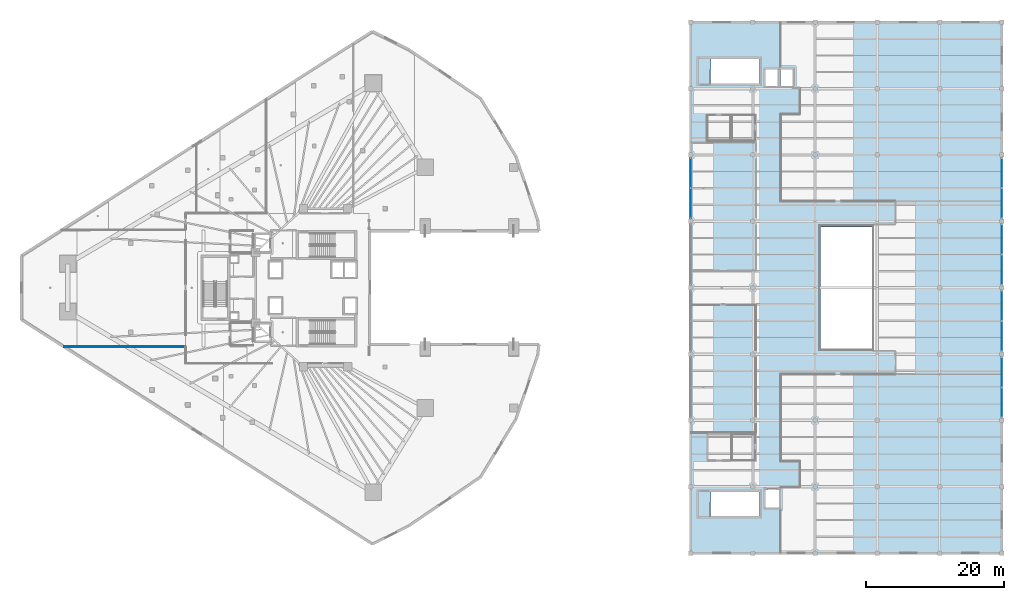
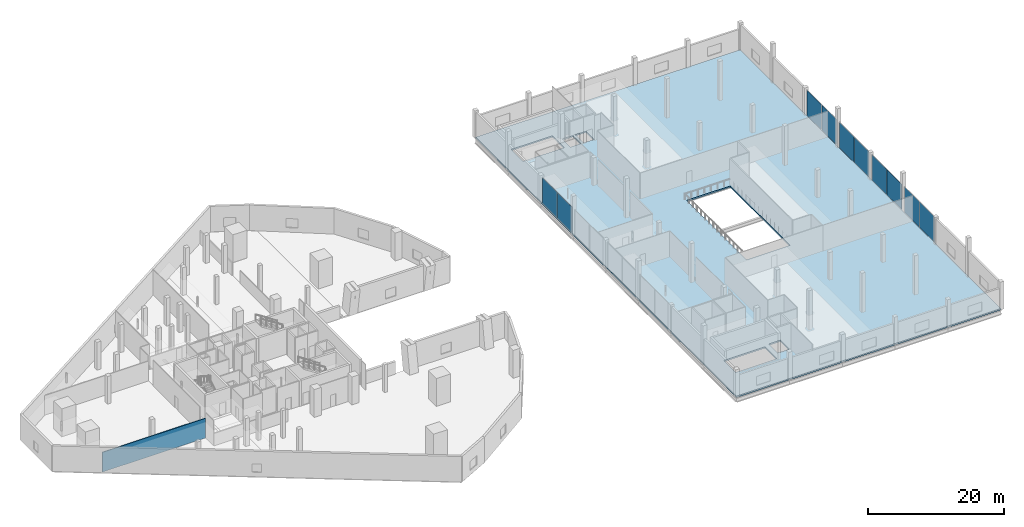
# One storey, part 27 of 43: 10 plates, 1 slab, 1 wall, 5 elements without a shape of their own.
"""IFC4 building model written with IfcOpenShell, lengths in metres."""

from ifc_helpers import new_model, si_unit, direction, frame, frame_2d, origin, origin_2d, place, context, subcontext, project, spatial, polyline, rectangle, outline, extrude, material, layer, layer_set, type_object, element, aggregate, save


model = new_model("IFC4")

# Units and contexts
model_context = context("Model", 3, precision=1e-05, world=origin(), true_north=direction((0.0, 1.0)))
body_context = subcontext(model_context, "Body", "Model", "MODEL_VIEW")
ifc_project = project(units=[si_unit("LENGTHUNIT", "METRE"), si_unit("AREAUNIT", "SQUARE_METRE"), si_unit("VOLUMEUNIT", "CUBIC_METRE"), si_unit("PLANEANGLEUNIT", "RADIAN"), si_unit("MASSUNIT", "GRAM", prefix="KILO")], contexts=[model_context])

# Site, building, storey
site_placement = place(None, origin())
site = spatial("IfcSite", under=ifc_project, at=site_placement, CompositionType="ELEMENT")
building_placement = place(site_placement, origin())
building = spatial("IfcBuilding", under=site, at=building_placement, Name="Qorvath Tower", CompositionType="ELEMENT")
storey_placement = place(building_placement, frame((0.0, 0.0, 22.0)))
storey = spatial("IfcBuildingStorey", under=building, at=storey_placement, Name="L04", CompositionType="ELEMENT", Elevation=22.0)

# Curtain wall, plates
ifc_material_1 = material(Name="Anodised aluminium and triple low-E glass", Category="aluminium")
ifc_layer_1 = layer(ifc_material_1, 0.179931640625)
ifc_layer_set_1 = layer_set([ifc_layer_1], Name="CW-SYS-6")
curtain_wall_type = type_object("IfcCurtainWallType", Name="CW-SYS-6", PredefinedType="NOTDEFINED", material=ifc_layer_set_1)
curtain_wall_1_placement = place(storey_placement, origin())
curtain_wall_1 = element("IfcCurtainWall", 1, at=curtain_wall_1_placement, inside=storey, type_object=curtain_wall_type, Name="Curtain Wall CW-6 CW-LIB-W-L04-6", PredefinedType="NOTDEFINED")
ifc_material_2 = material(Name="Low-E triple insulated glass", Category="glass")
ifc_layer_2 = layer(ifc_material_2, 0.031982421875)
ifc_layer_set_2 = layer_set([ifc_layer_2], Name="CWP-GLZ-32")
plate_type = type_object("IfcPlateType", Name="CWP-GLZ-32", PredefinedType="CURTAIN_PANEL", material=ifc_layer_set_2)
plate_1_placement = place(storey_placement, frame((32.39990234375, 12.205078125, 0.06494140625), z_axis=(0.0, 0.0, 1.0), x_axis=(0.0, 1.0, 0.0)))
plate_1 = element("IfcPlate", 2, at=plate_1_placement, type_object=plate_type, Name="CW-6 panel 1.1", PredefinedType="CURTAIN_PANEL", context=body_context, shape_type="SweptSolid", body=[
    extrude(rectangle(XDim=4.31005859375, YDim=0.031982421875, at=origin_2d()), origin(), (0.0, 0.0, 1.0), 4.570068359375),
])
plate_2_placement = place(storey_placement, frame((32.39990234375, 16.594970703125, 0.06494140625), z_axis=(0.0, 0.0, 1.0), x_axis=(0.0, 1.0, 0.0)))
plate_2 = element("IfcPlate", 3, at=plate_2_placement, type_object=plate_type, Name="CW-6 panel 2.1", PredefinedType="CURTAIN_PANEL", context=body_context, shape_type="SweptSolid", body=[
    extrude(rectangle(XDim=4.31005859375, YDim=0.031982421875, at=origin_2d()), origin(), (0.0, 0.0, 1.0), 4.570068359375),
])
aggregate(curtain_wall_1, [plate_1, plate_2])

curtain_wall_2_placement = place(storey_placement, origin())
curtain_wall_2 = element("IfcCurtainWall", 4, at=curtain_wall_2_placement, inside=storey, type_object=curtain_wall_type, Name="Curtain Wall CW-6 CW-LIB-E-L04-3", PredefinedType="NOTDEFINED")
plate_3_placement = place(storey_placement, frame((77.39990234375, -16.594970703125, 0.06494140625), z_axis=(0.0, 0.0, 1.0), x_axis=(0.0, 1.0, 0.0)))
plate_3 = element("IfcPlate", 5, at=plate_3_placement, type_object=plate_type, Name="CW-6 panel 1.1", PredefinedType="CURTAIN_PANEL", context=body_context, shape_type="SweptSolid", body=[
    extrude(rectangle(XDim=4.31005859375, YDim=0.031982421875, at=origin_2d()), origin(), (0.0, 0.0, 1.0), 4.570068359375),
])
plate_4_placement = place(storey_placement, frame((77.39990234375, -12.205078125, 0.06494140625), z_axis=(0.0, 0.0, 1.0), x_axis=(0.0, 1.0, 0.0)))
plate_4 = element("IfcPlate", 6, at=plate_4_placement, type_object=plate_type, Name="CW-6 panel 2.1", PredefinedType="CURTAIN_PANEL", context=body_context, shape_type="SweptSolid", body=[
    extrude(rectangle(XDim=4.31005859375, YDim=0.031982421875, at=origin_2d()), origin(), (0.0, 0.0, 1.0), 4.570068359375),
])
aggregate(curtain_wall_2, [plate_3, plate_4])

curtain_wall_3_placement = place(storey_placement, origin())
curtain_wall_3 = element("IfcCurtainWall", 7, at=curtain_wall_3_placement, inside=storey, type_object=curtain_wall_type, Name="Curtain Wall CW-6 CW-LIB-E-L04-4", PredefinedType="NOTDEFINED")
plate_5_placement = place(storey_placement, frame((77.39990234375, -6.9951171875, 0.06494140625), z_axis=(0.0, 0.0, 1.0), x_axis=(0.0, 1.0, 0.0)))
plate_5 = element("IfcPlate", 8, at=plate_5_placement, type_object=plate_type, Name="CW-6 panel 1.1", PredefinedType="CURTAIN_PANEL", context=body_context, shape_type="SweptSolid", body=[
    extrude(rectangle(XDim=4.31005859375, YDim=0.031982421875, at=origin_2d()), origin(), (0.0, 0.0, 1.0), 4.570068359375),
])
plate_6_placement = place(storey_placement, frame((77.39990234375, -2.60498046875, 0.06494140625), z_axis=(0.0, 0.0, 1.0), x_axis=(0.0, 1.0, 0.0)))
plate_6 = element("IfcPlate", 9, at=plate_6_placement, type_object=plate_type, Name="CW-6 panel 2.1", PredefinedType="CURTAIN_PANEL", context=body_context, shape_type="SweptSolid", body=[
    extrude(rectangle(XDim=4.31005859375, YDim=0.031982421875, at=origin_2d()), origin(), (0.0, 0.0, 1.0), 4.570068359375),
])
aggregate(curtain_wall_3, [plate_5, plate_6])

curtain_wall_4_placement = place(storey_placement, origin())
curtain_wall_4 = element("IfcCurtainWall", 10, at=curtain_wall_4_placement, inside=storey, type_object=curtain_wall_type, Name="Curtain Wall CW-6 CW-LIB-E-L04-5", PredefinedType="NOTDEFINED")
plate_7_placement = place(storey_placement, frame((77.39990234375, 2.60498046875, 0.06494140625), z_axis=(0.0, 0.0, 1.0), x_axis=(0.0, 1.0, 0.0)))
plate_7 = element("IfcPlate", 11, at=plate_7_placement, type_object=plate_type, Name="CW-6 panel 1.1", PredefinedType="CURTAIN_PANEL", context=body_context, shape_type="SweptSolid", body=[
    extrude(rectangle(XDim=4.31005859375, YDim=0.031982421875, at=origin_2d()), origin(), (0.0, 0.0, 1.0), 4.570068359375),
])
plate_8_placement = place(storey_placement, frame((77.39990234375, 6.9951171875, 0.06494140625), z_axis=(0.0, 0.0, 1.0), x_axis=(0.0, 1.0, 0.0)))
plate_8 = element("IfcPlate", 12, at=plate_8_placement, type_object=plate_type, Name="CW-6 panel 2.1", PredefinedType="CURTAIN_PANEL", context=body_context, shape_type="SweptSolid", body=[
    extrude(rectangle(XDim=4.31005859375, YDim=0.031982421875, at=origin_2d()), origin(), (0.0, 0.0, 1.0), 4.570068359375),
])
aggregate(curtain_wall_4, [plate_7, plate_8])

curtain_wall_5_placement = place(storey_placement, origin())
curtain_wall_5 = element("IfcCurtainWall", 13, at=curtain_wall_5_placement, inside=storey, type_object=curtain_wall_type, Name="Curtain Wall CW-6 CW-LIB-E-L04-6", PredefinedType="NOTDEFINED")
plate_9_placement = place(storey_placement, frame((77.39990234375, 12.205078125, 0.06494140625), z_axis=(0.0, 0.0, 1.0), x_axis=(0.0, 1.0, 0.0)))
plate_9 = element("IfcPlate", 14, at=plate_9_placement, type_object=plate_type, Name="CW-6 panel 1.1", PredefinedType="CURTAIN_PANEL", context=body_context, shape_type="SweptSolid", body=[
    extrude(rectangle(XDim=4.31005859375, YDim=0.031982421875, at=origin_2d()), origin(), (0.0, 0.0, 1.0), 4.570068359375),
])
plate_10_placement = place(storey_placement, frame((77.39990234375, 16.594970703125, 0.06494140625), z_axis=(0.0, 0.0, 1.0), x_axis=(0.0, 1.0, 0.0)))
plate_10 = element("IfcPlate", 15, at=plate_10_placement, type_object=plate_type, Name="CW-6 panel 2.1", PredefinedType="CURTAIN_PANEL", context=body_context, shape_type="SweptSolid", body=[
    extrude(rectangle(XDim=4.31005859375, YDim=0.031982421875, at=origin_2d()), origin(), (0.0, 0.0, 1.0), 4.570068359375),
])
aggregate(curtain_wall_5, [plate_9, plate_10])

# Slab
ifc_material_3 = material(Name="Concrete C45/55", Category="concrete")
ifc_layer_3 = layer(ifc_material_3, 0.260009765625)
ifc_layer_set_3 = layer_set([ifc_layer_3], Name="SL-LIB-STK-260")
slab_type = type_object("IfcSlabType", Name="SL-LIB-STK-260", PredefinedType="FLOOR", material=ifc_layer_set_3)
slab_placement = place(storey_placement, frame((0.0, 0.0, -0.260009765625)))
element("IfcSlab", 16, at=slab_placement, inside=storey, type_object=slab_type, Name="Central Library L04 Floor Slab", PredefinedType="FLOOR", context=body_context, shape_type="SweptSolid", body=[
    extrude(outline(polyline([(77.39990234375, -38.39990234375), (77.39990234375, 38.39990234375), (32.39990234375, 38.39990234375), (32.39990234375, -38.39990234375), (77.39990234375, -38.39990234375)]), holes=[polyline([(58.60009765625, -8.800048828125), (51.199951171875, -8.800048828125), (51.199951171875, 8.800048828125), (58.60009765625, 8.800048828125), (58.60009765625, -8.800048828125)]), polyline([(47.199951171875, 29.199951171875), (45.39990234375, 29.199951171875), (45.39990234375, 31.60009765625), (47.199951171875, 31.60009765625), (47.199951171875, 29.199951171875)]), polyline([(45.199951171875, -31.800048828125), (43.199951171875, -31.800048828125), (43.199951171875, -29.199951171875), (45.199951171875, -29.199951171875), (45.199951171875, -31.800048828125)]), polyline([(45.0, 31.60009765625), (45.0, 29.199951171875), (43.199951171875, 29.199951171875), (43.199951171875, 31.60009765625), (45.0, 31.60009765625)]), polyline([(42.35498046875, -29.5400390625), (42.35498046875, -33.050048828125), (35.324951171875, -33.050048828125), (35.324951171875, -29.5400390625), (42.35498046875, -29.5400390625)]), polyline([(42.35498046875, 29.550048828125), (35.324951171875, 29.550048828125), (35.324951171875, 33.06005859375), (42.35498046875, 33.06005859375), (42.35498046875, 29.550048828125)])]), origin(), (0.0, 0.0, 1.0), 0.260009765625),
])

# Wall
ifc_material_4 = material(Name="Gypsum board on metal studs with mineral wool", Category="gypsum")
ifc_layer_4 = layer(ifc_material_4, 0.125)
ifc_layer_set_4 = layer_set([ifc_layer_4], Name="IW-PART-125")
wall_type = type_object("IfcWallType", Name="IW-PART-125", PredefinedType="PARTITIONING", material=ifc_layer_set_4)
wall_placement = place(storey_placement, frame((-40.68310546875, -8.550048828125, 0.0), z_axis=(0.0, 0.0, 1.0), x_axis=(-1.0, 0.0, 0.0)))
element("IfcWall", 17, at=wall_placement, inside=storey, type_object=wall_type, Name="Interior Partition IW-T1-L04-033", PredefinedType="PARTITIONING", context=body_context, shape_type="SweptSolid", body=[
    extrude(rectangle(XDim=17.533447265625, YDim=0.125, at=frame_2d((8.7666015625, 0.0))), origin(), (0.0, 0.0, 1.0), 3.550048828125),
])

save(model, "model.ifc")
